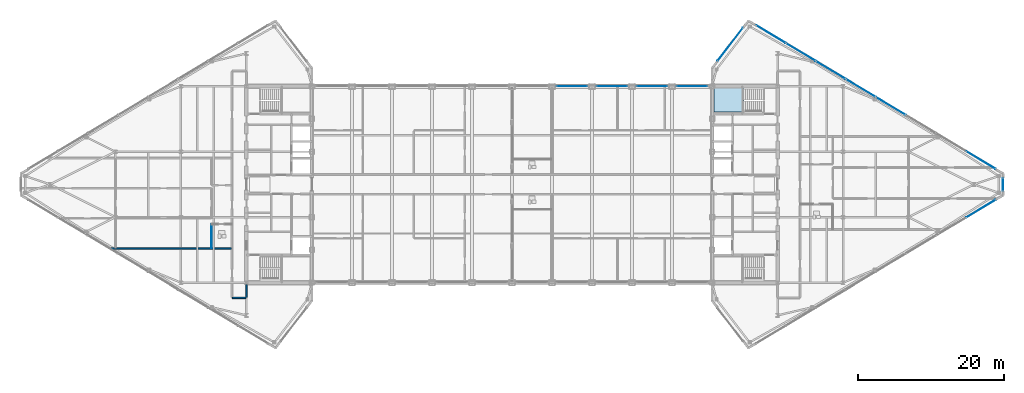
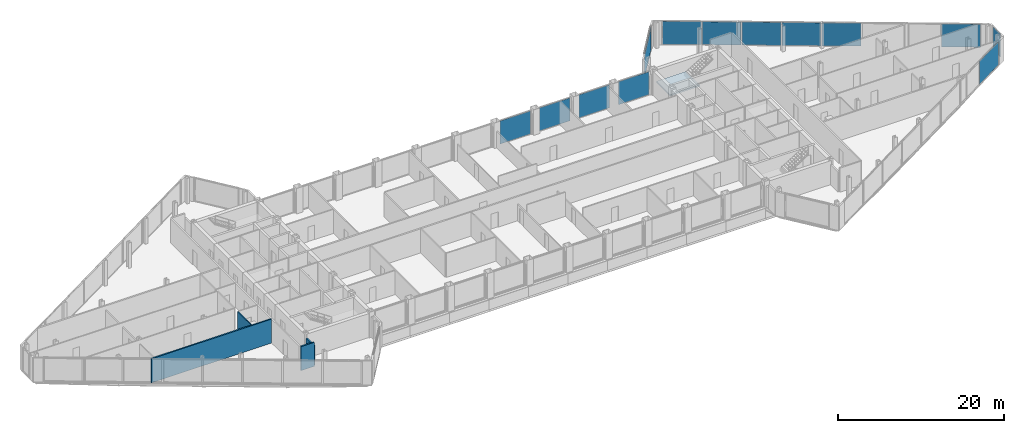
# One storey, part 20 of 29: 13 plates, 4 walls, 1 slab, 9 elements without a shape of their own.
"""IFC4 building model written with IfcOpenShell, lengths in metres."""

from ifc_helpers import new_model, si_unit, direction, frame, frame_2d, origin, origin_2d, place, context, subcontext, project, spatial, polyline, rectangle, outline, extrude, source, transform, mapped, material, layer, layer_set, type_object, type_shapes, element, aggregate, save


model = new_model("IFC4")

# Units and contexts
model_context = context("Model", 3, precision=1e-05, world=origin(), true_north=direction((0.0, 1.0)))
body_context = subcontext(model_context, "Body", "Model", "MODEL_VIEW")
ifc_project = project(units=[si_unit("LENGTHUNIT", "METRE"), si_unit("AREAUNIT", "SQUARE_METRE"), si_unit("VOLUMEUNIT", "CUBIC_METRE"), si_unit("PLANEANGLEUNIT", "RADIAN"), si_unit("MASSUNIT", "GRAM", prefix="KILO")], contexts=[model_context])

# Site, building, storey
site_placement = place(None, origin())
site = spatial("IfcSite", under=ifc_project, at=site_placement, CompositionType="ELEMENT")
building_placement = place(site_placement, origin())
building = spatial("IfcBuilding", under=site, at=building_placement, Name="Seokmaru Belvedere", CompositionType="ELEMENT")
storey_placement = place(building_placement, frame((0.0, 0.0, 239.39990234375)))
storey = spatial("IfcBuildingStorey", under=building, at=storey_placement, Name="L63", CompositionType="ELEMENT", Elevation=239.39990234375)

# Stair, slab
ifc_material_1 = material(Name="Concrete C40 (40 MPa)", Category="concrete")
stair_type = type_object("IfcStairType", Name="Sky-Gate Residential Core Dog-Leg Stair 3750", PredefinedType="TWO_STRAIGHT_RUN_STAIR", material=ifc_material_1)
stair_placement = place(storey_placement, origin())
stair = element("IfcStair", 1, at=stair_placement, inside=storey, type_object=stair_type, Name="L63 Special Escape Stair ST-E2", PredefinedType="TWO_STRAIGHT_RUN_STAIR")
ifc_layer_1 = layer(ifc_material_1, 0.199951171875)
ifc_layer_set_1 = layer_set([ifc_layer_1], Name="Concrete C40 (40 MPa)")
slab_type = type_object("IfcSlabType", Name="Reinforced Concrete Stair Landing Slab 200", PredefinedType="LANDING", material=ifc_layer_set_1)
slab_placement = place(storey_placement, frame((0.0, 0.0, 1.675048828125)))
slab = element("IfcSlab", 2, at=slab_placement, type_object=slab_type, Name="ST-E2 landing 1", PredefinedType="LANDING", context=body_context, shape_type="SweptSolid", body=[
    extrude(outline(polyline([(27.760009765625, 9.949951171875), (31.8798828125, 9.949951171875), (31.8798828125, 13.239990234375), (27.760009765625, 13.239990234375), (27.760009765625, 9.949951171875)])), origin(), (0.0, 0.0, 1.0), 0.199951171875),
])
aggregate(stair, [slab])

# Curtain wall, plate
ifc_material_2 = material(Name="Bronze Triple Insulating Glass", Category="glass")
ifc_layer_2 = layer(ifc_material_2, 0.219970703125)
ifc_layer_set_2 = layer_set([ifc_layer_2], Name="Bronze Triple Insulating Glass")
curtain_wall_type = type_object("IfcCurtainWallType", Name="Sky-Gate Bridge Panorama Curtain Wall System CW-6", PredefinedType="NOTDEFINED", material=ifc_layer_set_2)
curtain_wall_1_placement = place(storey_placement, origin())
curtain_wall_1 = element("IfcCurtainWall", 3, at=curtain_wall_1_placement, inside=storey, type_object=curtain_wall_type, Name="L63 Curtain Wall EF4", PredefinedType="NOTDEFINED")
ifc_layer_3 = layer(ifc_material_2, 0.0419921875)
ifc_layer_set_3 = layer_set([ifc_layer_3], Name="Bronze Triple Insulating Glass")
plate_type = type_object("IfcPlateType", Name="Acoustic Laminated Panorama Glazing Panel 42", PredefinedType="CURTAIN_PANEL", material=ifc_layer_set_3)
shared_shape_1 = source(origin(), body_context, "Body", "SweptSolid", [
    extrude(rectangle(XDim=5.740478515625, YDim=0.0419921875, at=origin_2d()), origin(), (0.0, 0.0, 1.0), 3.3798828125),
])
plate_1_placement = place(storey_placement, frame((30.0, 19.25, 0.0751953125), z_axis=(0.0, 0.0, 1.0), x_axis=(-0.609701187349, -0.792631353244, 0.0)))
plate_1 = element("IfcPlate", 4, at=plate_1_placement, type_object=plate_type, Name="CW:L63:EF4 Glazing Panel 1-1", PredefinedType="CURTAIN_PANEL", context=body_context, shape_type="MappedRepresentation", body=[
    mapped(shared_shape_1, transform((0.0, 0.0, 0.0), scale=1.0)),
])
aggregate(curtain_wall_1, [plate_1])

curtain_wall_2_placement = place(storey_placement, origin())
curtain_wall_2 = element("IfcCurtainWall", 5, at=curtain_wall_2_placement, inside=storey, type_object=curtain_wall_type, Name="L63 Curtain Wall EF1", PredefinedType="NOTDEFINED")
shared_shape_2 = source(origin(), body_context, "Body", "SweptSolid", [
    extrude(rectangle(XDim=4.694580078125, YDim=0.0419921875, at=origin_2d()), origin(), (0.0, 0.0, 1.0), 3.3798828125),
])
plate_2_placement = place(storey_placement, frame((64.4326171875, -3.340576171875, 0.0751953125), z_axis=(0.0, 0.0, 1.0), x_axis=(0.85749343335, 0.514494909364, 0.0)))
plate_2 = element("IfcPlate", 6, at=plate_2_placement, type_object=plate_type, Name="CW:L63:EF1 Glazing Panel 8-1", PredefinedType="CURTAIN_PANEL", context=body_context, shape_type="MappedRepresentation", body=[
    mapped(shared_shape_2, transform((0.0, 0.0, 0.0), scale=1.0)),
])
aggregate(curtain_wall_2, [plate_2])

# Curtain wall, plates
curtain_wall_3_placement = place(storey_placement, origin())
curtain_wall_3 = element("IfcCurtainWall", 7, at=curtain_wall_3_placement, inside=storey, type_object=curtain_wall_type, Name="L63 Curtain Wall EF3", PredefinedType="NOTDEFINED")
plate_3_placement = place(storey_placement, frame((64.4326171875, 3.340576171875, 0.0751953125), z_axis=(0.0, 0.0, 1.0), x_axis=(-0.85749343335, 0.514494909364, 0.0)))
plate_3 = element("IfcPlate", 8, at=plate_3_placement, type_object=plate_type, Name="CW:L63:EF3 Glazing Panel 1-1", PredefinedType="CURTAIN_PANEL", context=body_context, shape_type="MappedRepresentation", body=[
    mapped(shared_shape_2, transform((0.0, 0.0, 0.0), scale=1.0)),
])
plate_4_placement = place(storey_placement, frame((35.5673828125, 20.659423828125, 0.0751953125), z_axis=(0.0, 0.0, 1.0), x_axis=(-0.85749343335, 0.514494909364, 0.0)))
plate_4 = element("IfcPlate", 9, at=plate_4_placement, type_object=plate_type, Name="CW:L63:EF3 Glazing Panel 8-1", PredefinedType="CURTAIN_PANEL", context=body_context, shape_type="MappedRepresentation", body=[
    mapped(shared_shape_2, transform((0.0, 0.0, 0.0), scale=1.0)),
])
shared_shape_3 = source(origin(), body_context, "Body", "SweptSolid", [
    extrude(rectangle(XDim=4.734619140625, YDim=0.0419921875, at=origin_2d()), origin(), (0.0, 0.0, 1.0), 3.3798828125),
])
plate_5_placement = place(storey_placement, frame((52.064208984375, 10.761474609375, 0.0751953125), z_axis=(0.0, 0.0, 1.0), x_axis=(-0.85749343335, 0.514494909364, 0.0)))
plate_5 = element("IfcPlate", 10, at=plate_5_placement, type_object=plate_type, Name="CW:L63:EF3 Glazing Panel 4-1", PredefinedType="CURTAIN_PANEL", context=body_context, shape_type="MappedRepresentation", body=[
    mapped(shared_shape_3, transform((0.0, 0.0, 0.0), scale=1.0)),
])
plate_6_placement = place(storey_placement, frame((47.935791015625, 13.238525390625, 0.0751953125), z_axis=(0.0, 0.0, 1.0), x_axis=(-0.85749343335, 0.514494909364, 0.0)))
plate_6 = element("IfcPlate", 11, at=plate_6_placement, type_object=plate_type, Name="CW:L63:EF3 Glazing Panel 5-1", PredefinedType="CURTAIN_PANEL", context=body_context, shape_type="MappedRepresentation", body=[
    mapped(shared_shape_3, transform((0.0, 0.0, 0.0), scale=1.0)),
])
plate_7_placement = place(storey_placement, frame((43.807373046875, 15.715576171875, 0.0751953125), z_axis=(0.0, 0.0, 1.0), x_axis=(-0.85749343335, 0.514494909364, 0.0)))
plate_7 = element("IfcPlate", 12, at=plate_7_placement, type_object=plate_type, Name="CW:L63:EF3 Glazing Panel 6-1", PredefinedType="CURTAIN_PANEL", context=body_context, shape_type="MappedRepresentation", body=[
    mapped(shared_shape_3, transform((0.0, 0.0, 0.0), scale=1.0)),
])
plate_8_placement = place(storey_placement, frame((39.6787109375, 18.192626953125, 0.0751953125), z_axis=(0.0, 0.0, 1.0), x_axis=(-0.85749343335, 0.514494909364, 0.0)))
plate_8 = element("IfcPlate", 13, at=plate_8_placement, type_object=plate_type, Name="CW:L63:EF3 Glazing Panel 7-1", PredefinedType="CURTAIN_PANEL", context=body_context, shape_type="MappedRepresentation", body=[
    mapped(shared_shape_3, transform((0.0, 0.0, 0.0), scale=1.0)),
])
aggregate(curtain_wall_3, [plate_3, plate_5, plate_6, plate_7, plate_8, plate_4])

# Curtain wall, plate
curtain_wall_4_placement = place(storey_placement, origin())
curtain_wall_4 = element("IfcCurtainWall", 14, at=curtain_wall_4_placement, inside=storey, type_object=curtain_wall_type, Name="L63 Curtain Wall EF2", PredefinedType="NOTDEFINED")
shared_shape_4 = source(origin(), body_context, "Body", "SweptSolid", [
    extrude(rectangle(XDim=1.739990234375, YDim=0.0419921875, at=origin_2d()), origin(), (0.0, 0.0, 1.0), 3.3798828125),
])
plate_9_placement = place(storey_placement, frame((67.5, 0.0, 0.0751953125), z_axis=(0.0, 0.0, 1.0), x_axis=(0.0, 1.0, 0.0)))
plate_9 = element("IfcPlate", 15, at=plate_9_placement, type_object=plate_type, Name="CW:L63:EF2 Glazing Panel 1-1", PredefinedType="CURTAIN_PANEL", context=body_context, shape_type="MappedRepresentation", body=[
    mapped(shared_shape_4, transform((0.0, 0.0, 0.0), scale=1.0)),
])
aggregate(curtain_wall_4, [plate_9])

curtain_wall_5_placement = place(storey_placement, origin())
curtain_wall_5 = element("IfcCurtainWall", 16, at=curtain_wall_5_placement, inside=storey, type_object=curtain_wall_type, Name="L63 Curtain Wall BR_N07", PredefinedType="NOTDEFINED")
shared_shape_5 = source(origin(), body_context, "Body", "SweptSolid", [
    extrude(rectangle(XDim=4.239990234375, YDim=0.0419921875, at=origin_2d()), origin(), (0.0, 0.0, 1.0), 3.3798828125),
])
type_shapes(plate_type, [shared_shape_1, shared_shape_2, shared_shape_3, shared_shape_4, shared_shape_5])
plate_10_placement = place(storey_placement, frame((8.25, 13.5, 0.0751953125), z_axis=(0.0, 0.0, 1.0), x_axis=(-1.0, 0.0, 0.0)))
plate_10 = element("IfcPlate", 17, at=plate_10_placement, type_object=plate_type, Name="CW:L63:BR_N07 Glazing Panel 1-1", PredefinedType="CURTAIN_PANEL", context=body_context, shape_type="MappedRepresentation", body=[
    mapped(shared_shape_5, transform((0.0, 0.0, 0.0), scale=1.0)),
])
aggregate(curtain_wall_5, [plate_10])

curtain_wall_6_placement = place(storey_placement, origin())
curtain_wall_6 = element("IfcCurtainWall", 18, at=curtain_wall_6_placement, inside=storey, type_object=curtain_wall_type, Name="L63 Curtain Wall BR_N08", PredefinedType="NOTDEFINED")
plate_11_placement = place(storey_placement, frame((13.75, 13.5, 0.0751953125), z_axis=(0.0, 0.0, 1.0), x_axis=(-1.0, 0.0, 0.0)))
plate_11 = element("IfcPlate", 19, at=plate_11_placement, type_object=plate_type, Name="CW:L63:BR_N08 Glazing Panel 1-1", PredefinedType="CURTAIN_PANEL", context=body_context, shape_type="MappedRepresentation", body=[
    mapped(shared_shape_5, transform((0.0, 0.0, 0.0), scale=1.0)),
])
aggregate(curtain_wall_6, [plate_11])

curtain_wall_7_placement = place(storey_placement, origin())
curtain_wall_7 = element("IfcCurtainWall", 20, at=curtain_wall_7_placement, inside=storey, type_object=curtain_wall_type, Name="L63 Curtain Wall BR_N09", PredefinedType="NOTDEFINED")
plate_12_placement = place(storey_placement, frame((19.25, 13.5, 0.0751953125), z_axis=(0.0, 0.0, 1.0), x_axis=(-1.0, 0.0, 0.0)))
plate_12 = element("IfcPlate", 21, at=plate_12_placement, type_object=plate_type, Name="CW:L63:BR_N09 Glazing Panel 1-1", PredefinedType="CURTAIN_PANEL", context=body_context, shape_type="MappedRepresentation", body=[
    mapped(shared_shape_5, transform((0.0, 0.0, 0.0), scale=1.0)),
])
aggregate(curtain_wall_7, [plate_12])

curtain_wall_8_placement = place(storey_placement, origin())
curtain_wall_8 = element("IfcCurtainWall", 22, at=curtain_wall_8_placement, inside=storey, type_object=curtain_wall_type, Name="L63 Curtain Wall BR_N10", PredefinedType="NOTDEFINED")
plate_13_placement = place(storey_placement, frame((24.75, 13.5, 0.0751953125), z_axis=(0.0, 0.0, 1.0), x_axis=(-1.0, 0.0, 0.0)))
plate_13 = element("IfcPlate", 23, at=plate_13_placement, type_object=plate_type, Name="CW:L63:BR_N10 Glazing Panel 1-1", PredefinedType="CURTAIN_PANEL", context=body_context, shape_type="MappedRepresentation", body=[
    mapped(shared_shape_5, transform((0.0, 0.0, 0.0), scale=1.0)),
])
aggregate(curtain_wall_8, [plate_13])

# Walls
ifc_material_3 = material(Name="Fire-Rated Gypsum Shaftwall")
ifc_layer_4 = layer(ifc_material_3, 0.199951171875)
ifc_layer_set_4 = layer_set([ifc_layer_4], Name="Fire-Rated Gypsum Shaftwall")
wall_type_1 = type_object("IfcWallType", Name="Inter-Tenancy Fire Compartment Partition 200", PredefinedType="PARTITIONING", material=ifc_layer_set_4)
wall_1_placement = place(storey_placement, frame((-38.4150390625, -15.60009765625, 0.0), z_axis=(0.0, 0.0, 1.0), x_axis=(1.0, 0.0, 0.0)))
element("IfcWall", 24, at=wall_1_placement, inside=storey, type_object=wall_type_1, Name="L63 Interior Partition 001", PredefinedType="PARTITIONING", context=body_context, shape_type="SweptSolid", body=[
    extrude(rectangle(XDim=1.830078125, YDim=0.199951171875, at=frame_2d((0.9150390625, 0.0))), origin(), (0.0, 0.0, 1.0), 3.530029296875),
])
wall_2_placement = place(storey_placement, frame((-55.343017578125, -8.800048828125, 0.0), z_axis=(0.0, 0.0, 1.0), x_axis=(1.0, 0.0, 0.0)))
element("IfcWall", 25, at=wall_2_placement, inside=storey, type_object=wall_type_1, Name="L63 Interior Partition 003", PredefinedType="PARTITIONING", context=body_context, shape_type="SweptSolid", body=[
    extrude(rectangle(XDim=16.762939453125, YDim=0.199951171875, at=frame_2d((8.38134765625, 0.0))), origin(), (0.0, 0.0, 1.0), 3.530029296875),
])
wall_3_placement = place(storey_placement, frame((-36.5, -15.514892578125, 0.0), z_axis=(0.0, 0.0, 1.0), x_axis=(0.0, 1.0, 0.0)))
element("IfcWall", 26, at=wall_3_placement, inside=storey, type_object=wall_type_1, Name="L63 Interior Partition 032", PredefinedType="PARTITIONING", context=body_context, shape_type="SweptSolid", body=[
    extrude(rectangle(XDim=1.760009765625, YDim=0.199951171875, at=frame_2d((0.8798828125, 0.0))), origin(), (0.0, 0.0, 1.0), 2.93017578125),
])
ifc_layer_5 = layer(ifc_material_3, 0.1298828125)
ifc_layer_set_5 = layer_set([ifc_layer_5], Name="Fire-Rated Gypsum Shaftwall")
wall_type_2 = type_object("IfcWallType", Name="Moisture-Resistant Fire-Rated Bathroom Partition 130", PredefinedType="PARTITIONING", material=ifc_layer_set_5)
wall_4_placement = place(storey_placement, frame((-41.300048828125, -8.75, 0.0), z_axis=(0.0, 0.0, 1.0), x_axis=(0.0, 1.0, 0.0)))
element("IfcWall", 27, at=wall_4_placement, inside=storey, type_object=wall_type_2, Name="L63 Interior Partition 028", PredefinedType="PARTITIONING", context=body_context, shape_type="SweptSolid", body=[
    extrude(rectangle(XDim=3.24609375, YDim=0.1298828125, at=frame_2d((1.623046875, 0.0))), origin(), (0.0, 0.0, 1.0), 3.530029296875),
])

save(model, "model.ifc")
